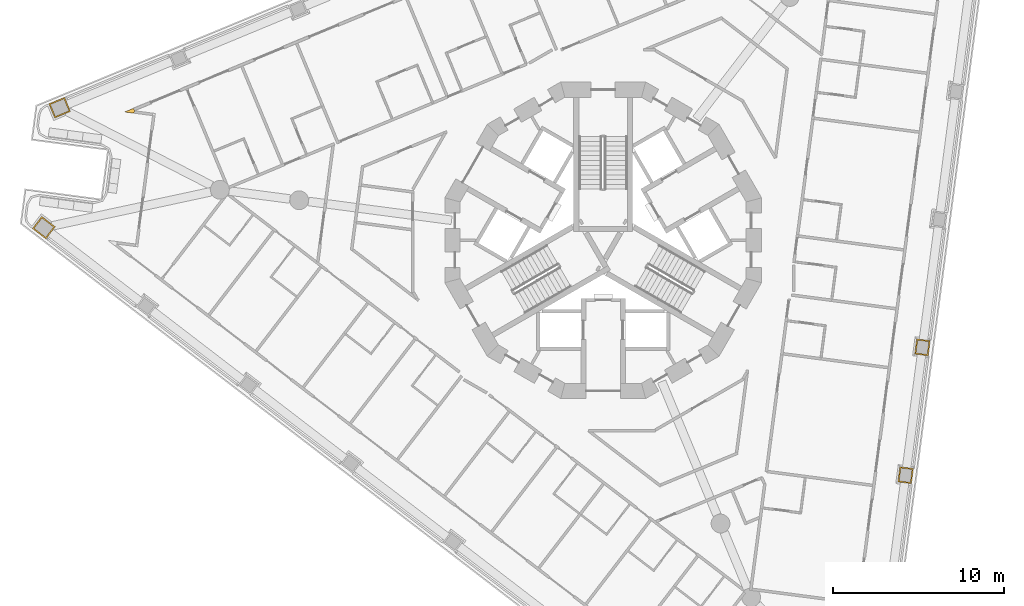
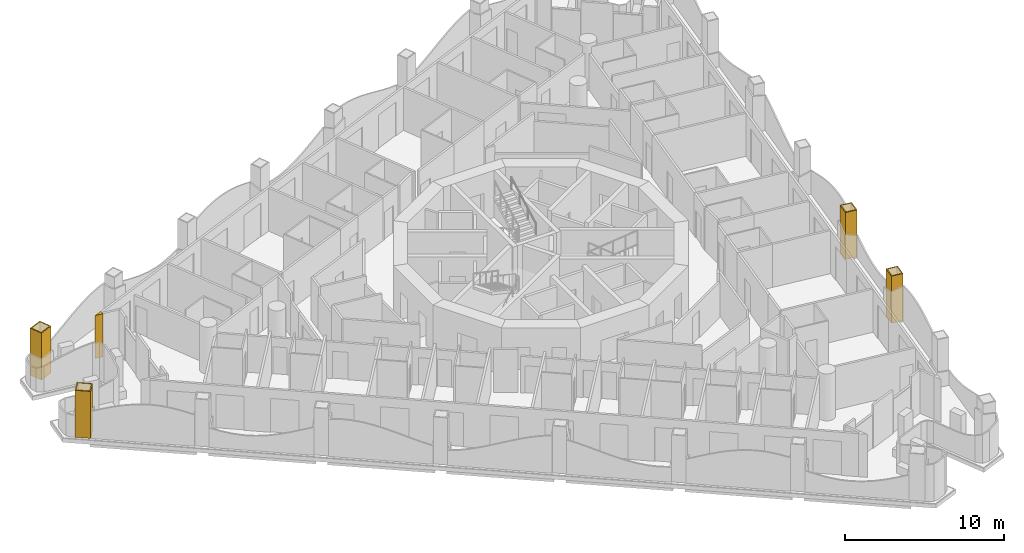
# One storey, part 15 of 18: 5 coverings.
"""IFC4 building model written with IfcOpenShell, lengths in metres."""

from ifc_helpers import new_model, si_unit, direction, frame, origin, place, context, subcontext, project, spatial, polyline, outline, extrude, material, layer, layer_set, type_object, element, save


model = new_model("IFC4")

# Units and contexts
model_context = context("Model", 3, precision=1e-05, world=origin(), true_north=direction((0.0, 1.0)))
body_context = subcontext(model_context, "Body", "Model", "MODEL_VIEW")
ifc_project = project(units=[si_unit("LENGTHUNIT", "METRE"), si_unit("AREAUNIT", "SQUARE_METRE"), si_unit("VOLUMEUNIT", "CUBIC_METRE"), si_unit("PLANEANGLEUNIT", "RADIAN"), si_unit("MASSUNIT", "GRAM", prefix="KILO")], contexts=[model_context])

# Site, building, storey
site_placement = place(None, origin())
site = spatial("IfcSite", under=ifc_project, at=site_placement, CompositionType="ELEMENT")
building_placement = place(site_placement, origin())
building = spatial("IfcBuilding", under=site, at=building_placement, Name="Trine Commons Tower", CompositionType="ELEMENT")
storey_placement = place(building_placement, frame((0.0, 0.0, 145.800048828125)))
storey = spatial("IfcBuildingStorey", under=building, at=storey_placement, Name="L37", CompositionType="ELEMENT", Elevation=145.800048828125)

# Coverings
ifc_material_1 = material(Name="Aluminium-framed insulated wall panel", Category="aluminium")
ifc_layer_1 = layer(ifc_material_1, 0.14990234375)
ifc_layer_set_1 = layer_set([ifc_layer_1], Name="Aluminium-framed insulated wall panel")
covering_type_1 = type_object("IfcCoveringType", Name="Glazing corner post, aluminium", PredefinedType="CLADDING", material=ifc_layer_set_1)
covering_1_placement = place(storey_placement, origin())
element("IfcCovering", 1, at=covering_1_placement, inside=storey, type_object=covering_type_1, Name="Glazing corner post 4-04", PredefinedType="CLADDING", context=body_context, shape_type="SweptSolid", body=[
    extrude(outline(polyline([(52.53369140625, 69.938720703125), (52.553466796875, 70.08740234375), (52.49609375, 70.22607421875), (51.978759765625, 70.01171875), (52.53369140625, 69.938720703125)])), origin(), (0.0, 0.0, 1.0), 3.300048828125),
])
ifc_material_2 = material(Name="Limestone, honed", Category="masonry")
ifc_layer_2 = layer(ifc_material_2, 0.074951171875)
ifc_layer_set_2 = layer_set([ifc_layer_2], Name="Limestone, honed")
covering_type_2 = type_object("IfcCoveringType", Name="Limestone column cladding 75", PredefinedType="CLADDING", material=ifc_layer_set_2)
covering_2_placement = place(storey_placement, origin())
element("IfcCovering", 2, at=covering_2_placement, inside=storey, type_object=covering_type_2, Name="Limestone pier cladding 4-08", PredefinedType="CLADDING", context=body_context, shape_type="SweptSolid", body=[
    extrude(outline(polyline([(47.1259765625, 63.898193359375), (46.578125, 63.18408203125), (47.371337890625, 62.5751953125), (47.919189453125, 63.289306640625), (47.1259765625, 63.898193359375)]), holes=[polyline([(47.139892578125, 63.79296875), (46.68310546875, 63.197998046875), (47.357666015625, 62.680419921875), (47.814208984375, 63.275390625), (47.139892578125, 63.79296875)])]), origin(), (0.0, 0.0, 1.0), 3.599853515625),
])
covering_3_placement = place(storey_placement, origin())
element("IfcCovering", 3, at=covering_3_placement, inside=storey, type_object=covering_type_2, Name="Limestone pier cladding 4-09", PredefinedType="CLADDING", context=body_context, shape_type="SweptSolid", body=[
    extrude(outline(polyline([(48.80810546875, 70.04052734375), (48.463623046875, 70.8720703125), (47.539794921875, 70.489501953125), (47.88427734375, 69.657958984375), (48.80810546875, 70.04052734375)]), holes=[polyline([(48.710205078125, 70.081298828125), (48.423095703125, 70.774169921875), (47.6376953125, 70.44873046875), (47.9248046875, 69.755859375), (48.710205078125, 70.081298828125)])]), origin(), (0.0, 0.0, 1.0), 3.599853515625),
])
covering_4_placement = place(storey_placement, origin())
element("IfcCovering", 4, at=covering_4_placement, inside=storey, type_object=covering_type_2, Name="Limestone pier cladding 4-21", PredefinedType="CLADDING", context=body_context, shape_type="SweptSolid", body=[
    extrude(outline(polyline([(99.150146484375, 56.6240234375), (98.35693359375, 56.728515625), (98.239501953125, 55.836181640625), (99.03271484375, 55.731689453125), (99.150146484375, 56.6240234375)]), holes=[polyline([(99.06591796875, 56.5595703125), (98.42138671875, 56.644287109375), (98.323486328125, 55.90087890625), (98.968017578125, 55.81591796875), (99.06591796875, 56.5595703125)])]), origin(), (0.0, 0.0, 1.0), 3.599853515625),
])
covering_5_placement = place(storey_placement, origin())
element("IfcCovering", 5, at=covering_5_placement, inside=storey, type_object=covering_type_2, Name="Limestone pier cladding 4-22", PredefinedType="CLADDING", context=body_context, shape_type="SweptSolid", body=[
    extrude(outline(polyline([(98.164306640625, 49.13671875), (97.371337890625, 49.2412109375), (97.25390625, 48.34912109375), (98.046875, 48.244384765625), (98.164306640625, 49.13671875)]), holes=[polyline([(98.080322265625, 49.072265625), (97.435791015625, 49.156982421875), (97.337890625, 48.41357421875), (97.982421875, 48.32861328125), (98.080322265625, 49.072265625)])]), origin(), (0.0, 0.0, 1.0), 3.599853515625),
])

save(model, "model.ifc")
